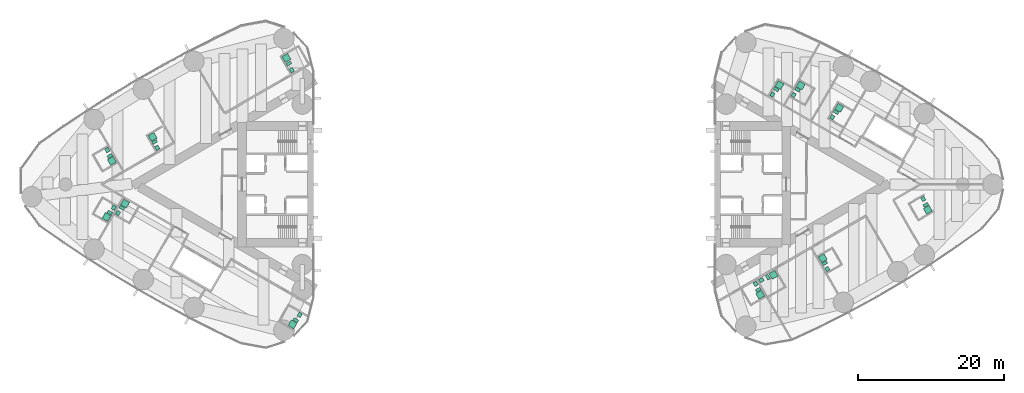
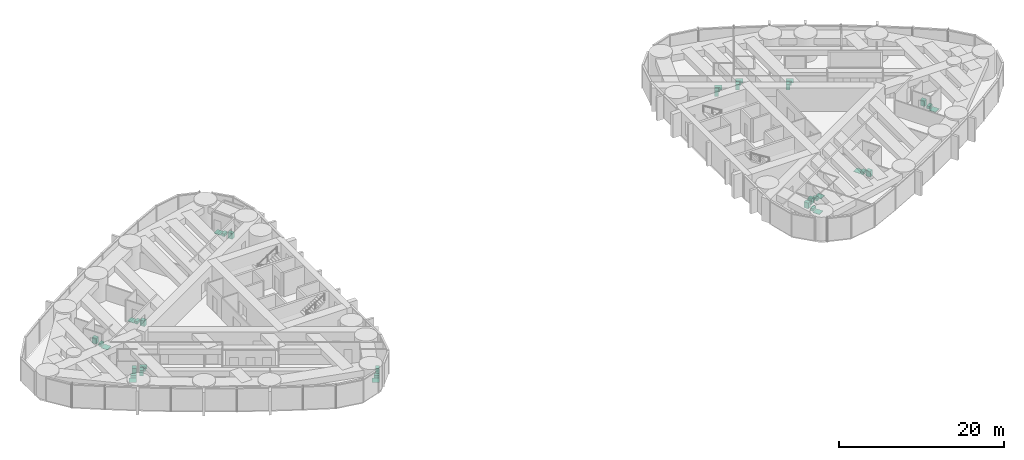
# One storey, part 19 of 19: 17 sanitary terminals.
"""IFC4 building model written with IfcOpenShell, lengths in metres."""

from ifc_helpers import new_model, si_unit, direction, frame, origin, origin_2d, place, context, subcontext, project, spatial, rectangle, extrude, material, type_object, element, save


model = new_model("IFC4")

# Units and contexts
model_context = context("Model", 3, precision=1e-05, world=origin(), true_north=direction((0.0, 1.0)))
body_context = subcontext(model_context, "Body", "Model", "MODEL_VIEW")
ifc_project = project(units=[si_unit("LENGTHUNIT", "METRE"), si_unit("AREAUNIT", "SQUARE_METRE"), si_unit("VOLUMEUNIT", "CUBIC_METRE"), si_unit("PLANEANGLEUNIT", "RADIAN"), si_unit("MASSUNIT", "GRAM", prefix="KILO")], contexts=[model_context])

# Site, building, storey
site_placement = place(None, origin())
site = spatial("IfcSite", under=ifc_project, at=site_placement, CompositionType="ELEMENT")
building_placement = place(site_placement, origin())
building = spatial("IfcBuilding", under=site, at=building_placement, Name="Lancet Gate Hotel", CompositionType="ELEMENT")
storey_placement = place(building_placement, frame((0.0, 0.0, 184.300048828125)))
storey = spatial("IfcBuildingStorey", under=building, at=storey_placement, Name="L49", CompositionType="ELEMENT", Elevation=184.300048828125)

# Sanitary terminals
ifc_material_1 = material(Name="Vitreous china sanitary ware")
sanitary_terminal_type_1 = type_object("IfcSanitaryTerminalType", Name="En-suite sanitary set (shower, WC, basin)", PredefinedType="USERDEFINED", material=ifc_material_1)
sanitary_terminal_1_placement = place(storey_placement, frame((-49.56005859375, 6.505615234375, 0.0), z_axis=(0.0, 0.0, 1.0), x_axis=(1.0, 0.0, 0.0)))
element("IfcSanitaryTerminal", 1, at=sanitary_terminal_1_placement, inside=storey, type_object=sanitary_terminal_type_1, Name="En-suite sanitary set (shower, WC, basin) 4903", ObjectType="EN-SUITE SANITARY SET", PredefinedType="USERDEFINED", context=body_context, shape_type="SweptSolid", body=[
    extrude(rectangle(XDim=0.89990234375, YDim=0.89990234375, at=origin_2d()), frame((0.0, 0.0, 0.0), z_axis=(0.0, 0.0, 1.0), x_axis=(-0.5, 0.866025403784, 0.0)), (0.0, 0.0, 1.0), 0.050048828125),
    extrude(rectangle(XDim=0.39990234375, YDim=0.699951171875, at=origin_2d()), frame((0.2783203125, -0.68212890625, 0.0), z_axis=(0.0, 0.0, 1.0), x_axis=(-0.5, 0.866025403784, 0.0)), (0.0, 0.0, 1.0), 0.39990234375),
    extrude(rectangle(XDim=0.60009765625, YDim=0.5, at=origin_2d()), frame((0.6318359375, -1.494140625, 0.0), z_axis=(0.0, 0.0, 1.0), x_axis=(-0.5, 0.866025403784, 0.0)), (0.0, 0.0, 1.0), 0.85009765625),
])
sanitary_terminal_2_placement = place(storey_placement, frame((-55.1455078125, 3.211669921875, 0.0), z_axis=(0.0, 0.0, 1.0), x_axis=(1.0, 0.0, 0.0)))
element("IfcSanitaryTerminal", 2, at=sanitary_terminal_2_placement, inside=storey, type_object=sanitary_terminal_type_1, Name="En-suite sanitary set (shower, WC, basin) 4904", ObjectType="EN-SUITE SANITARY SET", PredefinedType="USERDEFINED", context=body_context, shape_type="SweptSolid", body=[
    extrude(rectangle(XDim=0.89990234375, YDim=0.89990234375, at=origin_2d()), frame((0.0, 0.0, 0.0), z_axis=(0.0, 0.0, 1.0), x_axis=(0.5, -0.866025403784, 0.0)), (0.0, 0.0, 1.0), 0.050048828125),
    extrude(rectangle(XDim=0.39990234375, YDim=0.699951171875, at=origin_2d()), frame((-0.278564453125, 0.68212890625, 0.0), z_axis=(0.0, 0.0, 1.0), x_axis=(0.5, -0.866025403784, 0.0)), (0.0, 0.0, 1.0), 0.39990234375),
    extrude(rectangle(XDim=0.60009765625, YDim=0.5, at=origin_2d()), frame((-0.6318359375, 1.494140625, 0.0), z_axis=(0.0, 0.0, 1.0), x_axis=(0.5, -0.866025403784, 0.0)), (0.0, 0.0, 1.0), 0.85009765625),
])
sanitary_terminal_3_placement = place(storey_placement, frame((-55.87548828125, -4.47607421875, 0.0), z_axis=(0.0, 0.0, 1.0), x_axis=(1.0, 0.0, 0.0)))
element("IfcSanitaryTerminal", 3, at=sanitary_terminal_3_placement, inside=storey, type_object=sanitary_terminal_type_1, Name="En-suite sanitary set (shower, WC, basin) 4905", ObjectType="EN-SUITE SANITARY SET", PredefinedType="USERDEFINED", context=body_context, shape_type="SweptSolid", body=[
    extrude(rectangle(XDim=0.89990234375, YDim=0.89990234375, at=origin_2d()), frame((0.0, 0.0, 0.0), z_axis=(0.0, 0.0, 1.0), x_axis=(-0.5, -0.866025403784, 0.0)), (0.0, 0.0, 1.0), 0.050048828125),
    extrude(rectangle(XDim=0.39990234375, YDim=0.699951171875, at=origin_2d()), frame((0.451416015625, 0.582275390625, 0.0), z_axis=(0.0, 0.0, 1.0), x_axis=(-0.5, -0.866025403784, 0.0)), (0.0, 0.0, 1.0), 0.39990234375),
    extrude(rectangle(XDim=0.60009765625, YDim=0.5, at=origin_2d()), frame((0.97802734375, 1.29443359375, 0.0), z_axis=(0.0, 0.0, 1.0), x_axis=(-0.5, -0.866025403784, 0.0)), (0.0, 0.0, 1.0), 0.85009765625),
])
sanitary_terminal_4_placement = place(storey_placement, frame((-53.328369140625, -2.644287109375, 0.0), z_axis=(0.0, 0.0, 1.0), x_axis=(1.0, 0.0, 0.0)))
element("IfcSanitaryTerminal", 4, at=sanitary_terminal_4_placement, inside=storey, type_object=sanitary_terminal_type_1, Name="En-suite sanitary set (shower, WC, basin) 4906", ObjectType="EN-SUITE SANITARY SET", PredefinedType="USERDEFINED", context=body_context, shape_type="SweptSolid", body=[
    extrude(rectangle(XDim=0.89990234375, YDim=0.89990234375, at=origin_2d()), frame((0.0, 0.0, 0.0), z_axis=(0.0, 0.0, 1.0), x_axis=(0.5, 0.866025403784, 0.0)), (0.0, 0.0, 1.0), 0.050048828125),
    extrude(rectangle(XDim=0.39990234375, YDim=0.699951171875, at=origin_2d()), frame((-0.45166015625, -0.58203125, 0.0), z_axis=(0.0, 0.0, 1.0), x_axis=(0.5, 0.866025403784, 0.0)), (0.0, 0.0, 1.0), 0.39990234375),
    extrude(rectangle(XDim=0.60009765625, YDim=0.5, at=origin_2d()), frame((-0.978271484375, -1.294189453125, 0.0), z_axis=(0.0, 0.0, 1.0), x_axis=(0.5, 0.866025403784, 0.0)), (0.0, 0.0, 1.0), 0.85009765625),
])
sanitary_terminal_5_placement = place(storey_placement, frame((-30.37841796875, -19.19677734375, 0.0), z_axis=(0.0, 0.0, 1.0), x_axis=(1.0, 0.0, 0.0)))
element("IfcSanitaryTerminal", 5, at=sanitary_terminal_5_placement, inside=storey, type_object=sanitary_terminal_type_1, Name="En-suite sanitary set (shower, WC, basin) 4908", ObjectType="EN-SUITE SANITARY SET", PredefinedType="USERDEFINED", context=body_context, shape_type="SweptSolid", body=[
    extrude(rectangle(XDim=0.89990234375, YDim=0.89990234375, at=origin_2d()), frame((0.0, 0.0, 0.0), z_axis=(0.0, 0.0, 1.0), x_axis=(-0.5, -0.866025403784, 0.0)), (0.0, 0.0, 1.0), 0.050048828125),
    extrude(rectangle(XDim=0.39990234375, YDim=0.699951171875, at=origin_2d()), frame((0.451416015625, 0.582275390625, 0.0), z_axis=(0.0, 0.0, 1.0), x_axis=(-0.5, -0.866025403784, 0.0)), (0.0, 0.0, 1.0), 0.39990234375),
    extrude(rectangle(XDim=0.60009765625, YDim=0.5, at=origin_2d()), frame((0.97802734375, 1.294189453125, 0.0), z_axis=(0.0, 0.0, 1.0), x_axis=(-0.5, -0.866025403784, 0.0)), (0.0, 0.0, 1.0), 0.85009765625),
])
sanitary_terminal_6_placement = place(storey_placement, frame((33.739990234375, -15.139404296875, 0.0), z_axis=(0.0, 0.0, 1.0), x_axis=(1.0, 0.0, 0.0)))
element("IfcSanitaryTerminal", 6, at=sanitary_terminal_6_placement, inside=storey, type_object=sanitary_terminal_type_1, Name="En-suite sanitary set (shower, WC, basin) 4951", ObjectType="EN-SUITE SANITARY SET", PredefinedType="USERDEFINED", context=body_context, shape_type="SweptSolid", body=[
    extrude(rectangle(XDim=0.89990234375, YDim=0.89990234375, at=origin_2d()), frame((0.0, 0.0, 0.0), z_axis=(0.0, 0.0, 1.0), x_axis=(0.5, -0.866025403784, 0.0)), (0.0, 0.0, 1.0), 0.050048828125),
    extrude(rectangle(XDim=0.39990234375, YDim=0.699951171875, at=origin_2d()), frame((-0.2783203125, 0.68212890625, 0.0), z_axis=(0.0, 0.0, 1.0), x_axis=(0.5, -0.866025403784, 0.0)), (0.0, 0.0, 1.0), 0.39990234375),
    extrude(rectangle(XDim=0.60009765625, YDim=0.5, at=origin_2d()), frame((-0.6318359375, 1.494384765625, 0.0), z_axis=(0.0, 0.0, 1.0), x_axis=(0.5, -0.866025403784, 0.0)), (0.0, 0.0, 1.0), 0.85009765625),
])
sanitary_terminal_7_placement = place(storey_placement, frame((42.31298828125, -10.12060546875, 0.0), z_axis=(0.0, 0.0, 1.0), x_axis=(1.0, 0.0, 0.0)))
element("IfcSanitaryTerminal", 7, at=sanitary_terminal_7_placement, inside=storey, type_object=sanitary_terminal_type_1, Name="En-suite sanitary set (shower, WC, basin) 4954", ObjectType="EN-SUITE SANITARY SET", PredefinedType="USERDEFINED", context=body_context, shape_type="SweptSolid", body=[
    extrude(rectangle(XDim=0.89990234375, YDim=0.89990234375, at=origin_2d()), frame((0.0, 0.0, 0.0), z_axis=(0.0, 0.0, 1.0), x_axis=(-0.5, 0.866025403784, 0.0)), (0.0, 0.0, 1.0), 0.050048828125),
    extrude(rectangle(XDim=0.39990234375, YDim=0.699951171875, at=origin_2d()), frame((0.2783203125, -0.68212890625, 0.0), z_axis=(0.0, 0.0, 1.0), x_axis=(-0.5, 0.866025403784, 0.0)), (0.0, 0.0, 1.0), 0.39990234375),
    extrude(rectangle(XDim=0.60009765625, YDim=0.5, at=origin_2d()), frame((0.631591796875, -1.494384765625, 0.0), z_axis=(0.0, 0.0, 1.0), x_axis=(-0.5, 0.866025403784, 0.0)), (0.0, 0.0, 1.0), 0.85009765625),
])
sanitary_terminal_8_placement = place(storey_placement, frame((56.7138671875, -3.4921875, 0.0), z_axis=(0.0, 0.0, 1.0), x_axis=(1.0, 0.0, 0.0)))
element("IfcSanitaryTerminal", 8, at=sanitary_terminal_8_placement, inside=storey, type_object=sanitary_terminal_type_1, Name="En-suite sanitary set (shower, WC, basin) 4957", ObjectType="EN-SUITE SANITARY SET", PredefinedType="USERDEFINED", context=body_context, shape_type="SweptSolid", body=[
    extrude(rectangle(XDim=0.89990234375, YDim=0.89990234375, at=origin_2d()), frame((0.0, 0.0, 0.0), z_axis=(0.0, 0.0, 1.0), x_axis=(0.5, -0.866025403784, 0.0)), (0.0, 0.0, 1.0), 0.050048828125),
    extrude(rectangle(XDim=0.39990234375, YDim=0.699951171875, at=origin_2d()), frame((-0.278564453125, 0.682373046875, 0.0), z_axis=(0.0, 0.0, 1.0), x_axis=(0.5, -0.866025403784, 0.0)), (0.0, 0.0, 1.0), 0.39990234375),
    extrude(rectangle(XDim=0.60009765625, YDim=0.5, at=origin_2d()), frame((-0.6318359375, 1.494384765625, 0.0), z_axis=(0.0, 0.0, 1.0), x_axis=(0.5, -0.866025403784, 0.0)), (0.0, 0.0, 1.0), 0.85009765625),
])
for number, where, z_axis, x_axis, name in (
    (9, (44.586669921875, 10.49365234375, 0.0), (0.0, 0.0, 1.0), (1.0, 0.0, 0.0), "En-suite sanitary set (shower, WC, basin) 4961"),
    (10, (39.295654296875, 13.54833984375, 0.0), (0.0, 0.0, 1.0), (1.0, 0.0, 0.0), "En-suite sanitary set (shower, WC, basin) 4962"),
):
    element("IfcSanitaryTerminal", number, at=place(storey_placement, frame(where, z_axis=z_axis, x_axis=x_axis)), inside=storey, type_object=sanitary_terminal_type_1, Name=name, ObjectType="EN-SUITE SANITARY SET", PredefinedType="USERDEFINED", context=body_context, shape_type="SweptSolid", body=[
        extrude(rectangle(XDim=0.89990234375, YDim=0.89990234375, at=origin_2d()), frame((0.0, 0.0, 0.0), z_axis=(0.0, 0.0, 1.0), x_axis=(0.5, 0.866025403784, 0.0)), (0.0, 0.0, 1.0), 0.050048828125),
        extrude(rectangle(XDim=0.39990234375, YDim=0.699951171875, at=origin_2d()), frame((-0.45166015625, -0.58203125, 0.0), z_axis=(0.0, 0.0, 1.0), x_axis=(0.5, 0.866025403784, 0.0)), (0.0, 0.0, 1.0), 0.39990234375),
        extrude(rectangle(XDim=0.60009765625, YDim=0.5, at=origin_2d()), frame((-0.978271484375, -1.294189453125, 0.0), z_axis=(0.0, 0.0, 1.0), x_axis=(0.5, 0.866025403784, 0.0)), (0.0, 0.0, 1.0), 0.85009765625),
    ])
sanitary_terminal_9_placement = place(storey_placement, frame((36.38720703125, 13.611083984375, 0.0), z_axis=(0.0, 0.0, 1.0), x_axis=(1.0, 0.0, 0.0)))
element("IfcSanitaryTerminal", 11, at=sanitary_terminal_9_placement, inside=storey, type_object=sanitary_terminal_type_1, Name="En-suite sanitary set (shower, WC, basin) 4963", ObjectType="EN-SUITE SANITARY SET", PredefinedType="USERDEFINED", context=body_context, shape_type="SweptSolid", body=[
    extrude(rectangle(XDim=0.89990234375, YDim=0.89990234375, at=origin_2d()), frame((0.0, 0.0, 0.0), z_axis=(0.0, 0.0, 1.0), x_axis=(0.5, 0.866025403784, 0.0)), (0.0, 0.0, 1.0), 0.050048828125),
    extrude(rectangle(XDim=0.39990234375, YDim=0.699951171875, at=origin_2d()), frame((-0.451416015625, -0.582275390625, 0.0), z_axis=(0.0, 0.0, 1.0), x_axis=(0.5, 0.866025403784, 0.0)), (0.0, 0.0, 1.0), 0.39990234375),
    extrude(rectangle(XDim=0.60009765625, YDim=0.5, at=origin_2d()), frame((-0.97802734375, -1.29443359375, 0.0), z_axis=(0.0, 0.0, 1.0), x_axis=(0.5, 0.866025403784, 0.0)), (0.0, 0.0, 1.0), 0.85009765625),
])
ifc_material_2 = material(Name="Stone resin shower tray", Category="masonry")
sanitary_terminal_type_2 = type_object("IfcSanitaryTerminalType", Name="Shower tray 900", PredefinedType="SHOWER", material=ifc_material_2)
for number, where, z_axis, x_axis, name in (
    (12, (-31.216064453125, 17.327392578125, 0.0), (0.0, 0.0, 1.0), (-0.5, 0.866025403784, 0.0), "Shower tray 900 4901"),
    (13, (35.564697265625, -12.39990234375, 0.0), (0.0, 0.0, 1.0), (0.866025403784, 0.5, 0.0), "Shower tray 900 4952"),
):
    element("IfcSanitaryTerminal", number, at=place(storey_placement, frame(where, z_axis=z_axis, x_axis=x_axis)), inside=storey, type_object=sanitary_terminal_type_2, Name=name, PredefinedType="SHOWER", context=body_context, shape_type="SweptSolid", body=[
        extrude(rectangle(XDim=0.89990234375, YDim=0.89990234375, at=origin_2d()), origin(), (0.0, 0.0, 1.0), 0.050048828125),
    ])
ifc_material_3 = material(Name="Vitreous china sanitary ware")
sanitary_terminal_type_3 = type_object("IfcSanitaryTerminalType", Name="Vanity basin 600", PredefinedType="WASHHANDBASIN", material=ifc_material_3)
for number, where, z_axis, x_axis, name in (
    (14, (-30.484375, 15.659912109375, 0.0), (0.0, 0.0, 1.0), (-0.5, 0.866025403784, 0.0), "Vanity basin 600 4901"),
    (15, (33.897216796875, -13.1318359375, 0.0), (0.0, 0.0, 1.0), (0.866025403784, 0.5, 0.0), "Vanity basin 600 4952"),
):
    element("IfcSanitaryTerminal", number, at=place(storey_placement, frame(where, z_axis=z_axis, x_axis=x_axis)), inside=storey, type_object=sanitary_terminal_type_3, Name=name, PredefinedType="WASHHANDBASIN", context=body_context, shape_type="SweptSolid", body=[
        extrude(rectangle(XDim=0.60009765625, YDim=0.5, at=origin_2d()), origin(), (0.0, 0.0, 1.0), 0.85009765625),
    ])
ifc_material_4 = material(Name="Vitreous china sanitary ware")
sanitary_terminal_type_4 = type_object("IfcSanitaryTerminalType", Name="WC pan wall hung", PredefinedType="TOILETPAN", material=ifc_material_4)
for number, where, z_axis, x_axis, name in (
    (16, (-30.8876953125, 16.55859375, 0.0), (0.0, 0.0, 1.0), (-0.5, 0.866025403784, 0.0), "WC pan wall hung 4901"),
    (17, (34.7958984375, -12.728515625, 0.0), (0.0, 0.0, 1.0), (0.866025403784, 0.5, 0.0), "WC pan wall hung 4952"),
):
    element("IfcSanitaryTerminal", number, at=place(storey_placement, frame(where, z_axis=z_axis, x_axis=x_axis)), inside=storey, type_object=sanitary_terminal_type_4, Name=name, PredefinedType="TOILETPAN", context=body_context, shape_type="SweptSolid", body=[
        extrude(rectangle(XDim=0.39990234375, YDim=0.699951171875, at=origin_2d()), origin(), (0.0, 0.0, 1.0), 0.39990234375),
    ])

save(model, "model.ifc")
